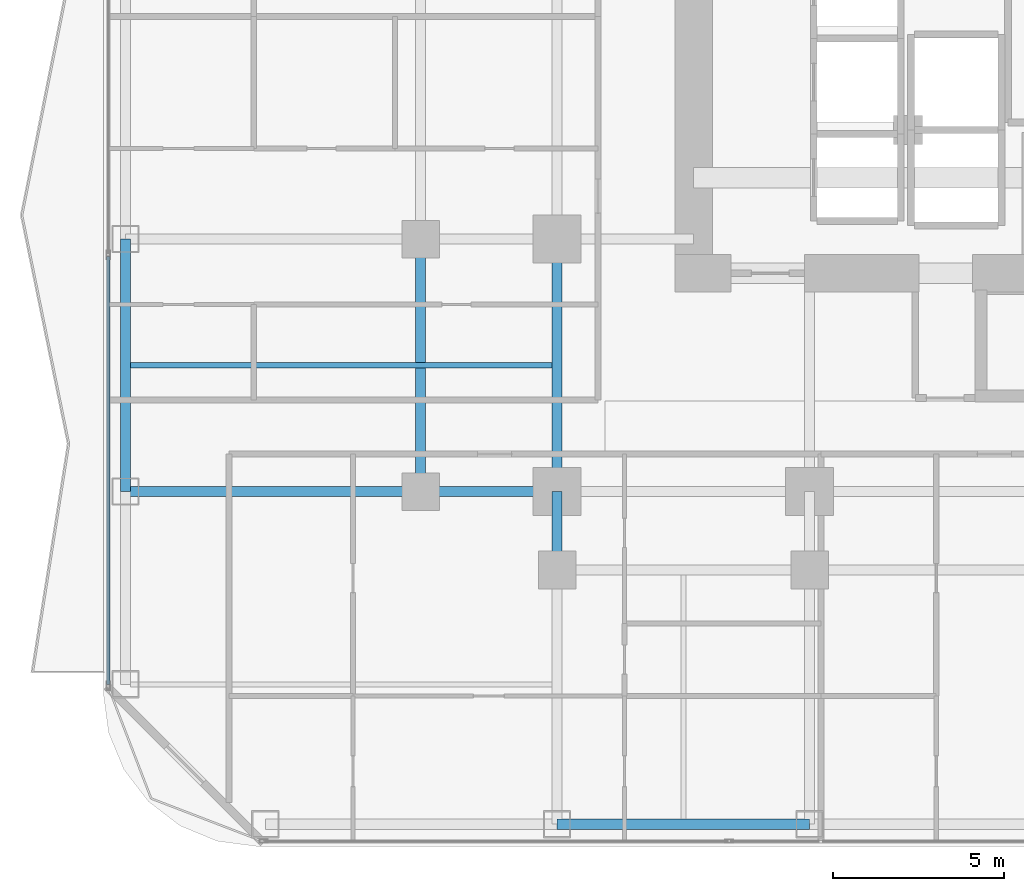
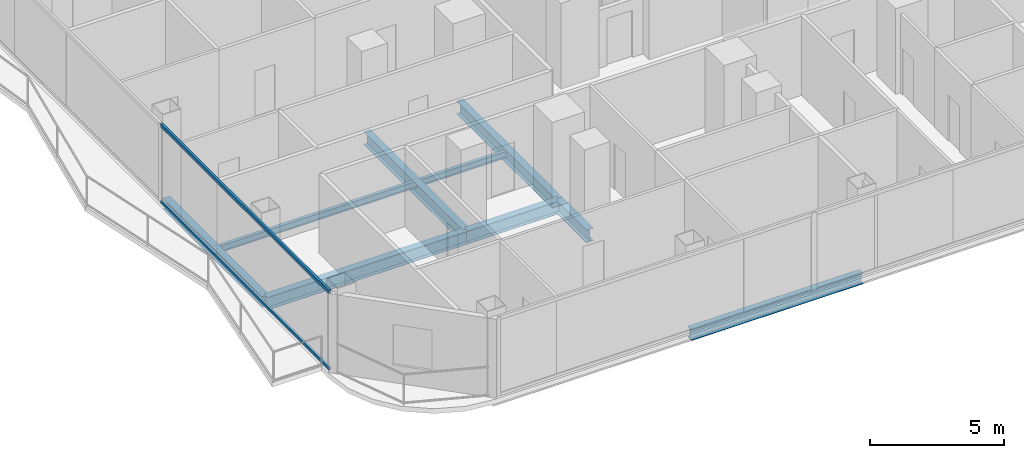
# One storey, part 3 of 29: 8 beams, 2 members, 1 element without a shape of its own.
"""IFC4 building model written with IfcOpenShell, lengths in metres."""

from ifc_helpers import new_model, si_unit, direction, frame, origin, origin_2d, place, context, subcontext, project, spatial, hollow_rectangle, i_section, extrude, material, layer, layer_set, material_profile, profile_set, type_object, element, aggregate, save


model = new_model("IFC4")

# Units and contexts
model_context = context("Model", 3, precision=1e-05, world=origin(), true_north=direction((0.0, 1.0)))
body_context = subcontext(model_context, "Body", "Model", "MODEL_VIEW")
ifc_project = project(units=[si_unit("LENGTHUNIT", "METRE"), si_unit("AREAUNIT", "SQUARE_METRE"), si_unit("VOLUMEUNIT", "CUBIC_METRE"), si_unit("PLANEANGLEUNIT", "RADIAN"), si_unit("MASSUNIT", "GRAM", prefix="KILO")], contexts=[model_context])

# Site, building, storey
site_placement = place(None, origin())
site = spatial("IfcSite", under=ifc_project, at=site_placement, CompositionType="ELEMENT")
building_placement = place(site_placement, origin())
building = spatial("IfcBuilding", under=site, at=building_placement, Name="Khorvyn Point Tower", CompositionType="ELEMENT")
storey_placement = place(building_placement, frame((0.0, 0.0, 73.5)))
storey = spatial("IfcBuildingStorey", under=building, at=storey_placement, Name="L19", CompositionType="ELEMENT", Elevation=73.5)

# Curtain wall, members
ifc_material_1 = material(Name="Anodised aluminium 6063-T6 and laminated Low-E glass", Category="aluminium")
ifc_layer = layer(ifc_material_1, 0.18994140625)
ifc_layer_set = layer_set([ifc_layer], Name="Stick-Built Finned Residential Curtain Wall CW-SYS-02")
curtain_wall_type = type_object("IfcCurtainWallType", Name="Stick-Built Finned Residential Curtain Wall CW-SYS-02", PredefinedType="NOTDEFINED", material=ifc_layer_set)
curtain_wall_placement = place(storey_placement, origin())
curtain_wall = element("IfcCurtainWall", 1, at=curtain_wall_placement, inside=storey, type_object=curtain_wall_type, Name="Curtain Wall", PredefinedType="NOTDEFINED")
ifc_material_2 = material(Name="Anodised aluminium 6063-T6", Category="aluminium")
ifc_material_profile_1 = material_profile(ifc_material_2, hollow_rectangle(XDim=0.10009765625, YDim=0.159912109375, WallThickness=0.00439453125, at=origin_2d()))
ifc_profile_set_1 = profile_set([ifc_material_profile_1], Name="Anodised aluminium 6063-T6 ALU-TRN-100x160")
member_type = type_object("IfcMemberType", Name="Anodised Aluminium 6063-T6 Transom ALU-TRN-100x160", PredefinedType="USERDEFINED", material=ifc_profile_set_1)
member_1_placement = place(storey_placement, frame((-27.949951171875, -20.449951171875, 0.050048828125), z_axis=(0.0, 1.0, 0.0), x_axis=(-1.0, 0.0, 0.0)))
member_1 = element("IfcMember", 2, at=member_1_placement, type_object=member_type, Name="Transom", ObjectType="TRANSOM", PredefinedType="USERDEFINED", context=body_context, shape_type="SweptSolid", body=[
    extrude(hollow_rectangle(XDim=0.10009765625, YDim=0.159912109375, WallThickness=0.00439453125, at=origin_2d()), origin(), (0.0, 0.0, 1.0), 12.534423828125),
])
member_2_placement = place(storey_placement, frame((-27.949951171875, -20.449951171875, 3.550048828125), z_axis=(0.0, 1.0, 0.0), x_axis=(-1.0, 0.0, 0.0)))
member_2 = element("IfcMember", 3, at=member_2_placement, type_object=member_type, Name="Transom", ObjectType="TRANSOM", PredefinedType="USERDEFINED", context=body_context, shape_type="SweptSolid", body=[
    extrude(hollow_rectangle(XDim=0.10009765625, YDim=0.159912109375, WallThickness=0.00439453125, at=origin_2d()), origin(), (0.0, 0.0, 1.0), 12.534423828125),
])
aggregate(curtain_wall, [member_1, member_2])

# Beams
ifc_material_3 = material(Name="Steel S355", Category="steel")
ifc_material_profile_2 = material_profile(ifc_material_3, i_section(OverallWidth=0.300048828125, OverallDepth=0.587890625, WebThickness=0.011962890625, FlangeThickness=0.02001953125, at=origin_2d()))
ifc_profile_set_2 = profile_set([ifc_material_profile_2], Name="Steel S355 H588x300x12x20")
beam_type_1 = type_object("IfcBeamType", Name="Steel S355 Beam H588x300x12x20", PredefinedType="BEAM", material=ifc_profile_set_2)
beam_1_placement = place(storey_placement, frame((-27.449951171875, -14.800048828125, -0.513916015625), z_axis=(1.0, 0.0, 0.0), x_axis=(0.0, 1.0, 0.0)))
element("IfcBeam", 4, at=beam_1_placement, inside=storey, type_object=beam_type_1, Name="Beam", PredefinedType="BEAM", context=body_context, shape_type="SweptSolid", body=[
    extrude(i_section(OverallWidth=0.300048828125, OverallDepth=0.587890625, WebThickness=0.011962890625, FlangeThickness=0.02001953125, at=origin_2d()), origin(), (0.0, 0.0, 1.0), 8.64990234375),
])
beam_2_placement = place(storey_placement, frame((-18.800048828125, -14.800048828125, -0.513916015625), z_axis=(1.0, 0.0, 0.0), x_axis=(0.0, 1.0, 0.0)))
element("IfcBeam", 5, at=beam_2_placement, inside=storey, type_object=beam_type_1, Name="Beam", PredefinedType="BEAM", context=body_context, shape_type="SweptSolid", body=[
    extrude(i_section(OverallWidth=0.300048828125, OverallDepth=0.587890625, WebThickness=0.011962890625, FlangeThickness=0.02001953125, at=origin_2d()), origin(), (0.0, 0.0, 1.0), 4.0),
])
beam_3_placement = place(storey_placement, frame((-14.800048828125, -17.10009765625, -0.513916015625), z_axis=(0.0, 1.0, 0.0), x_axis=(-1.0, 0.0, 0.0)))
element("IfcBeam", 6, at=beam_3_placement, inside=storey, type_object=beam_type_1, Name="Beam", PredefinedType="BEAM", context=body_context, shape_type="SweptSolid", body=[
    extrude(i_section(OverallWidth=0.300048828125, OverallDepth=0.587890625, WebThickness=0.011962890625, FlangeThickness=0.02001953125, at=origin_2d()), origin(), (0.0, 0.0, 1.0), 2.300048828125),
])
for number, where, z_axis, x_axis, name in (
    (7, (-14.800048828125, -14.800048828125, -0.513916015625), (0.0, 1.0, 0.0), (-1.0, 0.0, 0.0), "Beam"),
    (8, (-18.800048828125, -14.800048828125, -0.513916015625), (0.0, 1.0, 0.0), (-1.0, 0.0, 0.0), "Beam"),
):
    element("IfcBeam", number, at=place(storey_placement, frame(where, z_axis=z_axis, x_axis=x_axis)), inside=storey, type_object=beam_type_1, Name=name, PredefinedType="BEAM", context=body_context, shape_type="SweptSolid", body=[
        extrude(i_section(OverallWidth=0.300048828125, OverallDepth=0.587890625, WebThickness=0.011962890625, FlangeThickness=0.02001953125, at=origin_2d()), origin(), (0.0, 0.0, 1.0), 7.400146484375),
    ])
ifc_material_profile_3 = material_profile(ifc_material_3, i_section(OverallWidth=0.14990234375, OverallDepth=0.300048828125, WebThickness=0.006591796875, FlangeThickness=0.009033203125, at=origin_2d()))
ifc_profile_set_3 = profile_set([ifc_material_profile_3], Name="Steel S355 H300x150x6.5x9")
beam_type_2 = type_object("IfcBeamType", Name="Steel S355 Joist H300x150x6.5x9", PredefinedType="JOIST", material=ifc_profile_set_3)
beam_4_placement = place(storey_placement, frame((-27.300048828125, -11.10009765625, -0.3701171875), z_axis=(1.0, 0.0, 0.0), x_axis=(0.0, 1.0, 0.0)))
element("IfcBeam", 9, at=beam_4_placement, inside=storey, type_object=beam_type_2, Name="Beam", PredefinedType="JOIST", context=body_context, shape_type="SweptSolid", body=[
    extrude(i_section(OverallWidth=0.14990234375, OverallDepth=0.300048828125, WebThickness=0.006591796875, FlangeThickness=0.009033203125, at=origin_2d()), origin(), (0.0, 0.0, 1.0), 12.35009765625),
])
ifc_material_profile_4 = material_profile(ifc_material_3, i_section(OverallWidth=0.300048828125, OverallDepth=0.488037109375, WebThickness=0.010986328125, FlangeThickness=0.01806640625, at=origin_2d()))
ifc_profile_set_4 = profile_set([ifc_material_profile_4], Name="Steel S355 H488x300x11x18")
beam_type_3 = type_object("IfcBeamType", Name="Steel S355 Spandrel H488x300x11x18", PredefinedType="SPANDREL", material=ifc_profile_set_4)
for number, where, z_axis, x_axis, name in (
    (10, (-14.800048828125, -24.550048828125, -0.464111328125), (1.0, 0.0, 0.0), (0.0, 1.0, 0.0), "Beam"),
    (11, (-27.449951171875, -14.800048828125, -0.464111328125), (0.0, 1.0, 0.0), (-1.0, 0.0, 0.0), "Beam"),
):
    element("IfcBeam", number, at=place(storey_placement, frame(where, z_axis=z_axis, x_axis=x_axis)), inside=storey, type_object=beam_type_3, Name=name, PredefinedType="SPANDREL", context=body_context, shape_type="SweptSolid", body=[
        extrude(i_section(OverallWidth=0.300048828125, OverallDepth=0.488037109375, WebThickness=0.010986328125, FlangeThickness=0.01806640625, at=origin_2d()), origin(), (0.0, 0.0, 1.0), 7.400146484375),
    ])

save(model, "model.ifc")
